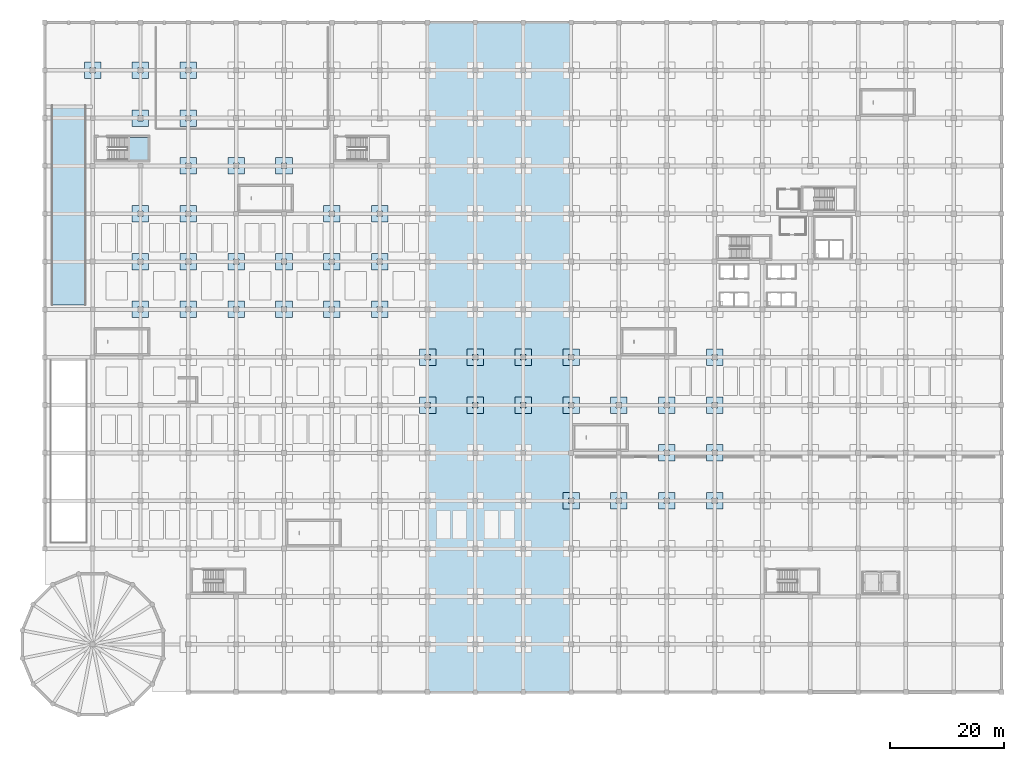
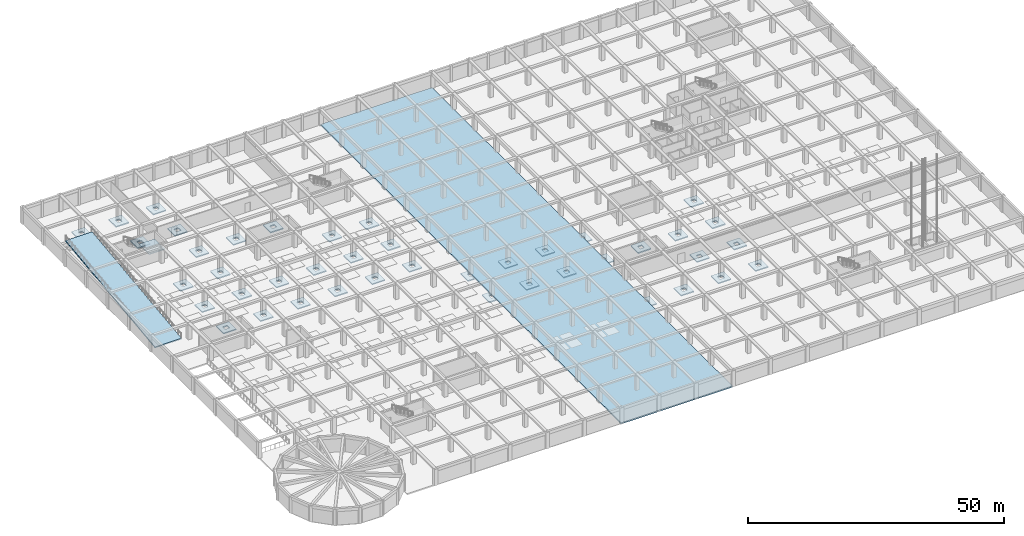
# One storey, part 11 of 32: 45 slabs, 1 element without a shape of its own.
"""IFC4 building model written with IfcOpenShell, lengths in metres."""

from ifc_helpers import new_model, si_unit, direction, frame, origin, place, context, subcontext, project, spatial, polyline, outline, extrude, material, layer, layer_set, type_object, element, aggregate, save


model = new_model("IFC4")

# Units and contexts
model_context = context("Model", 3, precision=1e-05, world=origin(), true_north=direction((0.0, 1.0)))
body_context = subcontext(model_context, "Body", "Model", "MODEL_VIEW")
ifc_project = project(units=[si_unit("LENGTHUNIT", "METRE"), si_unit("AREAUNIT", "SQUARE_METRE"), si_unit("VOLUMEUNIT", "CUBIC_METRE"), si_unit("PLANEANGLEUNIT", "RADIAN"), si_unit("MASSUNIT", "GRAM", prefix="KILO")], contexts=[model_context])

# Site, building, storey
site_placement = place(None, origin())
site = spatial("IfcSite", under=ifc_project, at=site_placement, CompositionType="ELEMENT")
building_placement = place(site_placement, origin())
building = spatial("IfcBuilding", under=site, at=building_placement, Name="Almacenes y Pasaje Nevantli", CompositionType="ELEMENT")
storey_placement = place(building_placement, frame((0.0, 0.0, -4.199951171875)))
storey = spatial("IfcBuildingStorey", under=building, at=storey_placement, Name="B01", CompositionType="ELEMENT", Elevation=-4.199951171875)

# Slabs
ifc_material_1 = material(Name="Concrete C35/45", Category="concrete")
ifc_layer_1 = layer(ifc_material_1, 0.25)
ifc_layer_set_1 = layer_set([ifc_layer_1], Name="Concrete C35/45")
slab_type_1 = type_object("IfcSlabType", Name="SLB-DP-250", PredefinedType="USERDEFINED", material=ifc_layer_set_1)
slab_1_placement = place(storey_placement, frame((0.0, 0.0, -0.550048828125)))
element("IfcSlab", 1, at=slab_1_placement, inside=storey, type_object=slab_type_1, Name="B01 Punching-Shear Drop Panel DP-02 #2", ObjectType="DROP PANEL", PredefinedType="USERDEFINED", context=body_context, shape_type="SweptSolid", body=[
    extrude(outline(polyline([(6.949951171875, 107.75), (9.85009765625, 107.75), (9.85009765625, 110.64990234375), (6.949951171875, 110.64990234375), (6.949951171875, 107.75)]), holes=[polyline([(7.919921875, 108.719970703125), (8.8798828125, 108.719970703125), (8.8798828125, 109.679931640625), (7.919921875, 109.679931640625), (7.919921875, 108.719970703125)])]), origin(), (0.0, 0.0, 1.0), 0.25),
])
slab_2_placement = place(storey_placement, frame((0.0, 0.0, -0.550048828125)))
element("IfcSlab", 2, at=slab_2_placement, inside=storey, type_object=slab_type_1, Name="B01 Punching-Shear Drop Panel DP-02 #6", ObjectType="DROP PANEL", PredefinedType="USERDEFINED", context=body_context, shape_type="SweptSolid", body=[
    extrude(outline(polyline([(15.35009765625, 65.75), (18.25, 65.75), (18.25, 68.64990234375), (15.35009765625, 68.64990234375), (15.35009765625, 65.75)]), holes=[polyline([(16.320068359375, 66.719970703125), (17.280029296875, 66.719970703125), (17.280029296875, 67.679931640625), (16.320068359375, 67.679931640625), (16.320068359375, 66.719970703125)])]), origin(), (0.0, 0.0, 1.0), 0.25),
])
slab_3_placement = place(storey_placement, frame((0.0, 0.0, -0.550048828125)))
element("IfcSlab", 3, at=slab_3_placement, inside=storey, type_object=slab_type_1, Name="B01 Punching-Shear Drop Panel DP-02 #7", ObjectType="DROP PANEL", PredefinedType="USERDEFINED", context=body_context, shape_type="SweptSolid", body=[
    extrude(outline(polyline([(15.35009765625, 74.14990234375), (18.25, 74.14990234375), (18.25, 77.050048828125), (15.35009765625, 77.050048828125), (15.35009765625, 74.14990234375)]), holes=[polyline([(16.320068359375, 75.1201171875), (17.280029296875, 75.1201171875), (17.280029296875, 76.080078125), (16.320068359375, 76.080078125), (16.320068359375, 75.1201171875)])]), origin(), (0.0, 0.0, 1.0), 0.25),
])
slab_4_placement = place(storey_placement, frame((0.0, 0.0, -0.550048828125)))
element("IfcSlab", 4, at=slab_4_placement, inside=storey, type_object=slab_type_1, Name="B01 Punching-Shear Drop Panel DP-02 #8", ObjectType="DROP PANEL", PredefinedType="USERDEFINED", context=body_context, shape_type="SweptSolid", body=[
    extrude(outline(polyline([(15.35009765625, 82.550048828125), (18.25, 82.550048828125), (18.25, 85.449951171875), (15.35009765625, 85.449951171875), (15.35009765625, 82.550048828125)]), holes=[polyline([(16.320068359375, 83.52001953125), (17.280029296875, 83.52001953125), (17.280029296875, 84.47998046875), (16.320068359375, 84.47998046875), (16.320068359375, 83.52001953125)])]), origin(), (0.0, 0.0, 1.0), 0.25),
])
slab_5_placement = place(storey_placement, frame((0.0, 0.0, -0.550048828125)))
element("IfcSlab", 5, at=slab_5_placement, inside=storey, type_object=slab_type_1, Name="B01 Punching-Shear Drop Panel DP-02 #9", ObjectType="DROP PANEL", PredefinedType="USERDEFINED", context=body_context, shape_type="SweptSolid", body=[
    extrude(outline(polyline([(15.35009765625, 99.35009765625), (18.25, 99.35009765625), (18.25, 102.25), (15.35009765625, 102.25), (15.35009765625, 99.35009765625)]), holes=[polyline([(16.320068359375, 100.320068359375), (17.280029296875, 100.320068359375), (17.280029296875, 101.280029296875), (16.320068359375, 101.280029296875), (16.320068359375, 100.320068359375)])]), origin(), (0.0, 0.0, 1.0), 0.25),
])
slab_6_placement = place(storey_placement, frame((0.0, 0.0, -0.550048828125)))
element("IfcSlab", 6, at=slab_6_placement, inside=storey, type_object=slab_type_1, Name="B01 Punching-Shear Drop Panel DP-02 #10", ObjectType="DROP PANEL", PredefinedType="USERDEFINED", context=body_context, shape_type="SweptSolid", body=[
    extrude(outline(polyline([(15.35009765625, 107.75), (18.25, 107.75), (18.25, 110.64990234375), (15.35009765625, 110.64990234375), (15.35009765625, 107.75)]), holes=[polyline([(16.320068359375, 108.719970703125), (17.280029296875, 108.719970703125), (17.280029296875, 109.679931640625), (16.320068359375, 109.679931640625), (16.320068359375, 108.719970703125)])]), origin(), (0.0, 0.0, 1.0), 0.25),
])
slab_7_placement = place(storey_placement, frame((0.0, 0.0, -0.550048828125)))
element("IfcSlab", 7, at=slab_7_placement, inside=storey, type_object=slab_type_1, Name="B01 Punching-Shear Drop Panel DP-02 #16", ObjectType="DROP PANEL", PredefinedType="USERDEFINED", context=body_context, shape_type="SweptSolid", body=[
    extrude(outline(polyline([(23.75, 65.75), (26.64990234375, 65.75), (26.64990234375, 68.64990234375), (23.75, 68.64990234375), (23.75, 65.75)]), holes=[polyline([(24.719970703125, 66.719970703125), (25.679931640625, 66.719970703125), (25.679931640625, 67.679931640625), (24.719970703125, 67.679931640625), (24.719970703125, 66.719970703125)])]), origin(), (0.0, 0.0, 1.0), 0.25),
])
slab_8_placement = place(storey_placement, frame((0.0, 0.0, -0.550048828125)))
element("IfcSlab", 8, at=slab_8_placement, inside=storey, type_object=slab_type_1, Name="B01 Punching-Shear Drop Panel DP-02 #17", ObjectType="DROP PANEL", PredefinedType="USERDEFINED", context=body_context, shape_type="SweptSolid", body=[
    extrude(outline(polyline([(23.75, 74.14990234375), (26.64990234375, 74.14990234375), (26.64990234375, 77.050048828125), (23.75, 77.050048828125), (23.75, 74.14990234375)]), holes=[polyline([(24.719970703125, 75.1201171875), (25.679931640625, 75.1201171875), (25.679931640625, 76.080078125), (24.719970703125, 76.080078125), (24.719970703125, 75.1201171875)])]), origin(), (0.0, 0.0, 1.0), 0.25),
])
slab_9_placement = place(storey_placement, frame((0.0, 0.0, -0.550048828125)))
element("IfcSlab", 9, at=slab_9_placement, inside=storey, type_object=slab_type_1, Name="B01 Punching-Shear Drop Panel DP-02 #18", ObjectType="DROP PANEL", PredefinedType="USERDEFINED", context=body_context, shape_type="SweptSolid", body=[
    extrude(outline(polyline([(23.75, 82.550048828125), (26.64990234375, 82.550048828125), (26.64990234375, 85.449951171875), (23.75, 85.449951171875), (23.75, 82.550048828125)]), holes=[polyline([(24.719970703125, 83.52001953125), (25.679931640625, 83.52001953125), (25.679931640625, 84.47998046875), (24.719970703125, 84.47998046875), (24.719970703125, 83.52001953125)])]), origin(), (0.0, 0.0, 1.0), 0.25),
])
slab_10_placement = place(storey_placement, frame((0.0, 0.0, -0.550048828125)))
element("IfcSlab", 10, at=slab_10_placement, inside=storey, type_object=slab_type_1, Name="B01 Punching-Shear Drop Panel DP-02 #19", ObjectType="DROP PANEL", PredefinedType="USERDEFINED", context=body_context, shape_type="SweptSolid", body=[
    extrude(outline(polyline([(23.75, 90.949951171875), (26.64990234375, 90.949951171875), (26.64990234375, 93.85009765625), (23.75, 93.85009765625), (23.75, 90.949951171875)]), holes=[polyline([(24.719970703125, 91.919921875), (25.679931640625, 91.919921875), (25.679931640625, 92.8798828125), (24.719970703125, 92.8798828125), (24.719970703125, 91.919921875)])]), origin(), (0.0, 0.0, 1.0), 0.25),
])
slab_11_placement = place(storey_placement, frame((0.0, 0.0, -0.550048828125)))
element("IfcSlab", 11, at=slab_11_placement, inside=storey, type_object=slab_type_1, Name="B01 Punching-Shear Drop Panel DP-02 #20", ObjectType="DROP PANEL", PredefinedType="USERDEFINED", context=body_context, shape_type="SweptSolid", body=[
    extrude(outline(polyline([(23.75, 99.35009765625), (26.64990234375, 99.35009765625), (26.64990234375, 102.25), (23.75, 102.25), (23.75, 99.35009765625)]), holes=[polyline([(24.719970703125, 100.320068359375), (25.679931640625, 100.320068359375), (25.679931640625, 101.280029296875), (24.719970703125, 101.280029296875), (24.719970703125, 100.320068359375)])]), origin(), (0.0, 0.0, 1.0), 0.25),
])
slab_12_placement = place(storey_placement, frame((0.0, 0.0, -0.550048828125)))
element("IfcSlab", 12, at=slab_12_placement, inside=storey, type_object=slab_type_1, Name="B01 Punching-Shear Drop Panel DP-02 #21", ObjectType="DROP PANEL", PredefinedType="USERDEFINED", context=body_context, shape_type="SweptSolid", body=[
    extrude(outline(polyline([(23.75, 107.75), (26.64990234375, 107.75), (26.64990234375, 110.64990234375), (23.75, 110.64990234375), (23.75, 107.75)]), holes=[polyline([(24.719970703125, 108.719970703125), (25.679931640625, 108.719970703125), (25.679931640625, 109.679931640625), (24.719970703125, 109.679931640625), (24.719970703125, 108.719970703125)])]), origin(), (0.0, 0.0, 1.0), 0.25),
])
slab_13_placement = place(storey_placement, frame((0.0, 0.0, -0.550048828125)))
element("IfcSlab", 13, at=slab_13_placement, inside=storey, type_object=slab_type_1, Name="B01 Punching-Shear Drop Panel DP-02 #28", ObjectType="DROP PANEL", PredefinedType="USERDEFINED", context=body_context, shape_type="SweptSolid", body=[
    extrude(outline(polyline([(32.14990234375, 65.75), (35.050048828125, 65.75), (35.050048828125, 68.64990234375), (32.14990234375, 68.64990234375), (32.14990234375, 65.75)]), holes=[polyline([(33.1201171875, 66.719970703125), (34.080078125, 66.719970703125), (34.080078125, 67.679931640625), (33.1201171875, 67.679931640625), (33.1201171875, 66.719970703125)])]), origin(), (0.0, 0.0, 1.0), 0.25),
])
slab_14_placement = place(storey_placement, frame((0.0, 0.0, -0.550048828125)))
element("IfcSlab", 14, at=slab_14_placement, inside=storey, type_object=slab_type_1, Name="B01 Punching-Shear Drop Panel DP-02 #29", ObjectType="DROP PANEL", PredefinedType="USERDEFINED", context=body_context, shape_type="SweptSolid", body=[
    extrude(outline(polyline([(32.14990234375, 74.14990234375), (35.050048828125, 74.14990234375), (35.050048828125, 77.050048828125), (32.14990234375, 77.050048828125), (32.14990234375, 74.14990234375)]), holes=[polyline([(33.1201171875, 75.1201171875), (34.080078125, 75.1201171875), (34.080078125, 76.080078125), (33.1201171875, 76.080078125), (33.1201171875, 75.1201171875)])]), origin(), (0.0, 0.0, 1.0), 0.25),
])
slab_15_placement = place(storey_placement, frame((0.0, 0.0, -0.550048828125)))
element("IfcSlab", 15, at=slab_15_placement, inside=storey, type_object=slab_type_1, Name="B01 Punching-Shear Drop Panel DP-02 #30", ObjectType="DROP PANEL", PredefinedType="USERDEFINED", context=body_context, shape_type="SweptSolid", body=[
    extrude(outline(polyline([(32.14990234375, 90.949951171875), (35.050048828125, 90.949951171875), (35.050048828125, 93.85009765625), (32.14990234375, 93.85009765625), (32.14990234375, 90.949951171875)]), holes=[polyline([(33.1201171875, 91.919921875), (34.080078125, 91.919921875), (34.080078125, 92.8798828125), (33.1201171875, 92.8798828125), (33.1201171875, 91.919921875)])]), origin(), (0.0, 0.0, 1.0), 0.25),
])
slab_16_placement = place(storey_placement, frame((0.0, 0.0, -0.550048828125)))
element("IfcSlab", 16, at=slab_16_placement, inside=storey, type_object=slab_type_1, Name="B01 Punching-Shear Drop Panel DP-02 #39", ObjectType="DROP PANEL", PredefinedType="USERDEFINED", context=body_context, shape_type="SweptSolid", body=[
    extrude(outline(polyline([(40.550048828125, 65.75), (43.449951171875, 65.75), (43.449951171875, 68.64990234375), (40.550048828125, 68.64990234375), (40.550048828125, 65.75)]), holes=[polyline([(41.52001953125, 66.719970703125), (42.47998046875, 66.719970703125), (42.47998046875, 67.679931640625), (41.52001953125, 67.679931640625), (41.52001953125, 66.719970703125)])]), origin(), (0.0, 0.0, 1.0), 0.25),
])
slab_17_placement = place(storey_placement, frame((0.0, 0.0, -0.550048828125)))
element("IfcSlab", 17, at=slab_17_placement, inside=storey, type_object=slab_type_1, Name="B01 Punching-Shear Drop Panel DP-02 #40", ObjectType="DROP PANEL", PredefinedType="USERDEFINED", context=body_context, shape_type="SweptSolid", body=[
    extrude(outline(polyline([(40.550048828125, 74.14990234375), (43.449951171875, 74.14990234375), (43.449951171875, 77.050048828125), (40.550048828125, 77.050048828125), (40.550048828125, 74.14990234375)]), holes=[polyline([(41.52001953125, 75.1201171875), (42.47998046875, 75.1201171875), (42.47998046875, 76.080078125), (41.52001953125, 76.080078125), (41.52001953125, 75.1201171875)])]), origin(), (0.0, 0.0, 1.0), 0.25),
])
slab_18_placement = place(storey_placement, frame((0.0, 0.0, -0.550048828125)))
element("IfcSlab", 18, at=slab_18_placement, inside=storey, type_object=slab_type_1, Name="B01 Punching-Shear Drop Panel DP-02 #41", ObjectType="DROP PANEL", PredefinedType="USERDEFINED", context=body_context, shape_type="SweptSolid", body=[
    extrude(outline(polyline([(40.550048828125, 90.949951171875), (43.449951171875, 90.949951171875), (43.449951171875, 93.85009765625), (40.550048828125, 93.85009765625), (40.550048828125, 90.949951171875)]), holes=[polyline([(41.52001953125, 91.919921875), (42.47998046875, 91.919921875), (42.47998046875, 92.8798828125), (41.52001953125, 92.8798828125), (41.52001953125, 91.919921875)])]), origin(), (0.0, 0.0, 1.0), 0.25),
])
slab_19_placement = place(storey_placement, frame((0.0, 0.0, -0.550048828125)))
element("IfcSlab", 19, at=slab_19_placement, inside=storey, type_object=slab_type_1, Name="B01 Punching-Shear Drop Panel DP-02 #50", ObjectType="DROP PANEL", PredefinedType="USERDEFINED", context=body_context, shape_type="SweptSolid", body=[
    extrude(outline(polyline([(48.949951171875, 65.75), (51.85009765625, 65.75), (51.85009765625, 68.64990234375), (48.949951171875, 68.64990234375), (48.949951171875, 65.75)]), holes=[polyline([(49.919921875, 66.719970703125), (50.8798828125, 66.719970703125), (50.8798828125, 67.679931640625), (49.919921875, 67.679931640625), (49.919921875, 66.719970703125)])]), origin(), (0.0, 0.0, 1.0), 0.25),
])
slab_20_placement = place(storey_placement, frame((0.0, 0.0, -0.550048828125)))
element("IfcSlab", 20, at=slab_20_placement, inside=storey, type_object=slab_type_1, Name="B01 Punching-Shear Drop Panel DP-02 #51", ObjectType="DROP PANEL", PredefinedType="USERDEFINED", context=body_context, shape_type="SweptSolid", body=[
    extrude(outline(polyline([(48.949951171875, 74.14990234375), (51.85009765625, 74.14990234375), (51.85009765625, 77.050048828125), (48.949951171875, 77.050048828125), (48.949951171875, 74.14990234375)]), holes=[polyline([(49.919921875, 75.1201171875), (50.8798828125, 75.1201171875), (50.8798828125, 76.080078125), (49.919921875, 76.080078125), (49.919921875, 75.1201171875)])]), origin(), (0.0, 0.0, 1.0), 0.25),
])
slab_21_placement = place(storey_placement, frame((0.0, 0.0, -0.550048828125)))
element("IfcSlab", 21, at=slab_21_placement, inside=storey, type_object=slab_type_1, Name="B01 Punching-Shear Drop Panel DP-02 #52", ObjectType="DROP PANEL", PredefinedType="USERDEFINED", context=body_context, shape_type="SweptSolid", body=[
    extrude(outline(polyline([(48.949951171875, 82.550048828125), (51.85009765625, 82.550048828125), (51.85009765625, 85.449951171875), (48.949951171875, 85.449951171875), (48.949951171875, 82.550048828125)]), holes=[polyline([(49.919921875, 83.52001953125), (50.8798828125, 83.52001953125), (50.8798828125, 84.47998046875), (49.919921875, 84.47998046875), (49.919921875, 83.52001953125)])]), origin(), (0.0, 0.0, 1.0), 0.25),
])
slab_22_placement = place(storey_placement, frame((0.0, 0.0, -0.550048828125)))
element("IfcSlab", 22, at=slab_22_placement, inside=storey, type_object=slab_type_1, Name="B01 Punching-Shear Drop Panel DP-02 #62", ObjectType="DROP PANEL", PredefinedType="USERDEFINED", context=body_context, shape_type="SweptSolid", body=[
    extrude(outline(polyline([(57.35009765625, 65.75), (60.25, 65.75), (60.25, 68.64990234375), (57.35009765625, 68.64990234375), (57.35009765625, 65.75)]), holes=[polyline([(58.320068359375, 66.719970703125), (59.280029296875, 66.719970703125), (59.280029296875, 67.679931640625), (58.320068359375, 67.679931640625), (58.320068359375, 66.719970703125)])]), origin(), (0.0, 0.0, 1.0), 0.25),
])
slab_23_placement = place(storey_placement, frame((0.0, 0.0, -0.550048828125)))
element("IfcSlab", 23, at=slab_23_placement, inside=storey, type_object=slab_type_1, Name="B01 Punching-Shear Drop Panel DP-02 #63", ObjectType="DROP PANEL", PredefinedType="USERDEFINED", context=body_context, shape_type="SweptSolid", body=[
    extrude(outline(polyline([(57.35009765625, 74.14990234375), (60.25, 74.14990234375), (60.25, 77.050048828125), (57.35009765625, 77.050048828125), (57.35009765625, 74.14990234375)]), holes=[polyline([(58.320068359375, 75.1201171875), (59.280029296875, 75.1201171875), (59.280029296875, 76.080078125), (58.320068359375, 76.080078125), (58.320068359375, 75.1201171875)])]), origin(), (0.0, 0.0, 1.0), 0.25),
])
slab_24_placement = place(storey_placement, frame((0.0, 0.0, -0.550048828125)))
element("IfcSlab", 24, at=slab_24_placement, inside=storey, type_object=slab_type_1, Name="B01 Punching-Shear Drop Panel DP-02 #64", ObjectType="DROP PANEL", PredefinedType="USERDEFINED", context=body_context, shape_type="SweptSolid", body=[
    extrude(outline(polyline([(57.35009765625, 82.550048828125), (60.25, 82.550048828125), (60.25, 85.449951171875), (57.35009765625, 85.449951171875), (57.35009765625, 82.550048828125)]), holes=[polyline([(58.320068359375, 83.52001953125), (59.280029296875, 83.52001953125), (59.280029296875, 84.47998046875), (58.320068359375, 84.47998046875), (58.320068359375, 83.52001953125)])]), origin(), (0.0, 0.0, 1.0), 0.25),
])
slab_25_placement = place(storey_placement, frame((0.0, 0.0, -0.550048828125)))
element("IfcSlab", 25, at=slab_25_placement, inside=storey, type_object=slab_type_1, Name="B01 Punching-Shear Drop Panel DP-02 #72", ObjectType="DROP PANEL", PredefinedType="USERDEFINED", context=body_context, shape_type="SweptSolid", body=[
    extrude(outline(polyline([(65.75, 48.949951171875), (68.64990234375, 48.949951171875), (68.64990234375, 51.85009765625), (65.75, 51.85009765625), (65.75, 48.949951171875)]), holes=[polyline([(66.719970703125, 49.919921875), (67.679931640625, 49.919921875), (67.679931640625, 50.8798828125), (66.719970703125, 50.8798828125), (66.719970703125, 49.919921875)])]), origin(), (0.0, 0.0, 1.0), 0.25),
])
slab_26_placement = place(storey_placement, frame((0.0, 0.0, -0.550048828125)))
element("IfcSlab", 26, at=slab_26_placement, inside=storey, type_object=slab_type_1, Name="B01 Punching-Shear Drop Panel DP-02 #73", ObjectType="DROP PANEL", PredefinedType="USERDEFINED", context=body_context, shape_type="SweptSolid", body=[
    extrude(outline(polyline([(65.75, 57.35009765625), (68.64990234375, 57.35009765625), (68.64990234375, 60.25), (65.75, 60.25), (65.75, 57.35009765625)]), holes=[polyline([(66.719970703125, 58.320068359375), (67.679931640625, 58.320068359375), (67.679931640625, 59.280029296875), (66.719970703125, 59.280029296875), (66.719970703125, 58.320068359375)])]), origin(), (0.0, 0.0, 1.0), 0.25),
])
slab_27_placement = place(storey_placement, frame((0.0, 0.0, -0.550048828125)))
element("IfcSlab", 27, at=slab_27_placement, inside=storey, type_object=slab_type_1, Name="B01 Punching-Shear Drop Panel DP-02 #85", ObjectType="DROP PANEL", PredefinedType="USERDEFINED", context=body_context, shape_type="SweptSolid", body=[
    extrude(outline(polyline([(74.14990234375, 48.949951171875), (77.050048828125, 48.949951171875), (77.050048828125, 51.85009765625), (74.14990234375, 51.85009765625), (74.14990234375, 48.949951171875)]), holes=[polyline([(75.1201171875, 49.919921875), (76.080078125, 49.919921875), (76.080078125, 50.8798828125), (75.1201171875, 50.8798828125), (75.1201171875, 49.919921875)])]), origin(), (0.0, 0.0, 1.0), 0.25),
])
slab_28_placement = place(storey_placement, frame((0.0, 0.0, -0.550048828125)))
element("IfcSlab", 28, at=slab_28_placement, inside=storey, type_object=slab_type_1, Name="B01 Punching-Shear Drop Panel DP-02 #86", ObjectType="DROP PANEL", PredefinedType="USERDEFINED", context=body_context, shape_type="SweptSolid", body=[
    extrude(outline(polyline([(74.14990234375, 57.35009765625), (77.050048828125, 57.35009765625), (77.050048828125, 60.25), (74.14990234375, 60.25), (74.14990234375, 57.35009765625)]), holes=[polyline([(75.1201171875, 58.320068359375), (76.080078125, 58.320068359375), (76.080078125, 59.280029296875), (75.1201171875, 59.280029296875), (75.1201171875, 58.320068359375)])]), origin(), (0.0, 0.0, 1.0), 0.25),
])
slab_29_placement = place(storey_placement, frame((0.0, 0.0, -0.550048828125)))
element("IfcSlab", 29, at=slab_29_placement, inside=storey, type_object=slab_type_1, Name="B01 Punching-Shear Drop Panel DP-02 #98", ObjectType="DROP PANEL", PredefinedType="USERDEFINED", context=body_context, shape_type="SweptSolid", body=[
    extrude(outline(polyline([(82.550048828125, 48.949951171875), (85.449951171875, 48.949951171875), (85.449951171875, 51.85009765625), (82.550048828125, 51.85009765625), (82.550048828125, 48.949951171875)]), holes=[polyline([(83.52001953125, 49.919921875), (84.47998046875, 49.919921875), (84.47998046875, 50.8798828125), (83.52001953125, 50.8798828125), (83.52001953125, 49.919921875)])]), origin(), (0.0, 0.0, 1.0), 0.25),
])
slab_30_placement = place(storey_placement, frame((0.0, 0.0, -0.550048828125)))
element("IfcSlab", 30, at=slab_30_placement, inside=storey, type_object=slab_type_1, Name="B01 Punching-Shear Drop Panel DP-02 #99", ObjectType="DROP PANEL", PredefinedType="USERDEFINED", context=body_context, shape_type="SweptSolid", body=[
    extrude(outline(polyline([(82.550048828125, 57.35009765625), (85.449951171875, 57.35009765625), (85.449951171875, 60.25), (82.550048828125, 60.25), (82.550048828125, 57.35009765625)]), holes=[polyline([(83.52001953125, 58.320068359375), (84.47998046875, 58.320068359375), (84.47998046875, 59.280029296875), (83.52001953125, 59.280029296875), (83.52001953125, 58.320068359375)])]), origin(), (0.0, 0.0, 1.0), 0.25),
])
slab_31_placement = place(storey_placement, frame((0.0, 0.0, -0.550048828125)))
element("IfcSlab", 31, at=slab_31_placement, inside=storey, type_object=slab_type_1, Name="B01 Punching-Shear Drop Panel DP-02 #109", ObjectType="DROP PANEL", PredefinedType="USERDEFINED", context=body_context, shape_type="SweptSolid", body=[
    extrude(outline(polyline([(90.949951171875, 32.14990234375), (93.85009765625, 32.14990234375), (93.85009765625, 35.050048828125), (90.949951171875, 35.050048828125), (90.949951171875, 32.14990234375)]), holes=[polyline([(91.919921875, 33.1201171875), (92.8798828125, 33.1201171875), (92.8798828125, 34.080078125), (91.919921875, 34.080078125), (91.919921875, 33.1201171875)])]), origin(), (0.0, 0.0, 1.0), 0.25),
])
slab_32_placement = place(storey_placement, frame((0.0, 0.0, -0.550048828125)))
element("IfcSlab", 32, at=slab_32_placement, inside=storey, type_object=slab_type_1, Name="B01 Punching-Shear Drop Panel DP-02 #110", ObjectType="DROP PANEL", PredefinedType="USERDEFINED", context=body_context, shape_type="SweptSolid", body=[
    extrude(outline(polyline([(90.949951171875, 48.949951171875), (93.85009765625, 48.949951171875), (93.85009765625, 51.85009765625), (90.949951171875, 51.85009765625), (90.949951171875, 48.949951171875)]), holes=[polyline([(91.919921875, 49.919921875), (92.8798828125, 49.919921875), (92.8798828125, 50.8798828125), (91.919921875, 50.8798828125), (91.919921875, 49.919921875)])]), origin(), (0.0, 0.0, 1.0), 0.25),
])
slab_33_placement = place(storey_placement, frame((0.0, 0.0, -0.550048828125)))
element("IfcSlab", 33, at=slab_33_placement, inside=storey, type_object=slab_type_1, Name="B01 Punching-Shear Drop Panel DP-02 #111", ObjectType="DROP PANEL", PredefinedType="USERDEFINED", context=body_context, shape_type="SweptSolid", body=[
    extrude(outline(polyline([(90.949951171875, 57.35009765625), (93.85009765625, 57.35009765625), (93.85009765625, 60.25), (90.949951171875, 60.25), (90.949951171875, 57.35009765625)]), holes=[polyline([(91.919921875, 58.320068359375), (92.8798828125, 58.320068359375), (92.8798828125, 59.280029296875), (91.919921875, 59.280029296875), (91.919921875, 58.320068359375)])]), origin(), (0.0, 0.0, 1.0), 0.25),
])
slab_34_placement = place(storey_placement, frame((0.0, 0.0, -0.550048828125)))
element("IfcSlab", 34, at=slab_34_placement, inside=storey, type_object=slab_type_1, Name="B01 Punching-Shear Drop Panel DP-02 #121", ObjectType="DROP PANEL", PredefinedType="USERDEFINED", context=body_context, shape_type="SweptSolid", body=[
    extrude(outline(polyline([(99.35009765625, 32.14990234375), (102.25, 32.14990234375), (102.25, 35.050048828125), (99.35009765625, 35.050048828125), (99.35009765625, 32.14990234375)]), holes=[polyline([(100.320068359375, 33.1201171875), (101.280029296875, 33.1201171875), (101.280029296875, 34.080078125), (100.320068359375, 34.080078125), (100.320068359375, 33.1201171875)])]), origin(), (0.0, 0.0, 1.0), 0.25),
])
slab_35_placement = place(storey_placement, frame((0.0, 0.0, -0.550048828125)))
element("IfcSlab", 35, at=slab_35_placement, inside=storey, type_object=slab_type_1, Name="B01 Punching-Shear Drop Panel DP-02 #122", ObjectType="DROP PANEL", PredefinedType="USERDEFINED", context=body_context, shape_type="SweptSolid", body=[
    extrude(outline(polyline([(99.35009765625, 48.949951171875), (102.25, 48.949951171875), (102.25, 51.85009765625), (99.35009765625, 51.85009765625), (99.35009765625, 48.949951171875)]), holes=[polyline([(100.320068359375, 49.919921875), (101.280029296875, 49.919921875), (101.280029296875, 50.8798828125), (100.320068359375, 50.8798828125), (100.320068359375, 49.919921875)])]), origin(), (0.0, 0.0, 1.0), 0.25),
])
slab_36_placement = place(storey_placement, frame((0.0, 0.0, -0.550048828125)))
element("IfcSlab", 36, at=slab_36_placement, inside=storey, type_object=slab_type_1, Name="B01 Punching-Shear Drop Panel DP-02 #132", ObjectType="DROP PANEL", PredefinedType="USERDEFINED", context=body_context, shape_type="SweptSolid", body=[
    extrude(outline(polyline([(107.75, 32.14990234375), (110.64990234375, 32.14990234375), (110.64990234375, 35.050048828125), (107.75, 35.050048828125), (107.75, 32.14990234375)]), holes=[polyline([(108.719970703125, 33.1201171875), (109.679931640625, 33.1201171875), (109.679931640625, 34.080078125), (108.719970703125, 34.080078125), (108.719970703125, 33.1201171875)])]), origin(), (0.0, 0.0, 1.0), 0.25),
])
slab_37_placement = place(storey_placement, frame((0.0, 0.0, -0.550048828125)))
element("IfcSlab", 37, at=slab_37_placement, inside=storey, type_object=slab_type_1, Name="B01 Punching-Shear Drop Panel DP-02 #133", ObjectType="DROP PANEL", PredefinedType="USERDEFINED", context=body_context, shape_type="SweptSolid", body=[
    extrude(outline(polyline([(107.75, 40.550048828125), (110.64990234375, 40.550048828125), (110.64990234375, 43.449951171875), (107.75, 43.449951171875), (107.75, 40.550048828125)]), holes=[polyline([(108.719970703125, 41.52001953125), (109.679931640625, 41.52001953125), (109.679931640625, 42.47998046875), (108.719970703125, 42.47998046875), (108.719970703125, 41.52001953125)])]), origin(), (0.0, 0.0, 1.0), 0.25),
])
slab_38_placement = place(storey_placement, frame((0.0, 0.0, -0.550048828125)))
element("IfcSlab", 38, at=slab_38_placement, inside=storey, type_object=slab_type_1, Name="B01 Punching-Shear Drop Panel DP-02 #134", ObjectType="DROP PANEL", PredefinedType="USERDEFINED", context=body_context, shape_type="SweptSolid", body=[
    extrude(outline(polyline([(107.75, 48.949951171875), (110.64990234375, 48.949951171875), (110.64990234375, 51.85009765625), (107.75, 51.85009765625), (107.75, 48.949951171875)]), holes=[polyline([(108.719970703125, 49.919921875), (109.679931640625, 49.919921875), (109.679931640625, 50.8798828125), (108.719970703125, 50.8798828125), (108.719970703125, 49.919921875)])]), origin(), (0.0, 0.0, 1.0), 0.25),
])
slab_39_placement = place(storey_placement, frame((0.0, 0.0, -0.550048828125)))
element("IfcSlab", 39, at=slab_39_placement, inside=storey, type_object=slab_type_1, Name="B01 Punching-Shear Drop Panel DP-02 #144", ObjectType="DROP PANEL", PredefinedType="USERDEFINED", context=body_context, shape_type="SweptSolid", body=[
    extrude(outline(polyline([(116.14990234375, 32.14990234375), (119.050048828125, 32.14990234375), (119.050048828125, 35.050048828125), (116.14990234375, 35.050048828125), (116.14990234375, 32.14990234375)]), holes=[polyline([(117.1201171875, 33.1201171875), (118.080078125, 33.1201171875), (118.080078125, 34.080078125), (117.1201171875, 34.080078125), (117.1201171875, 33.1201171875)])]), origin(), (0.0, 0.0, 1.0), 0.25),
])
slab_40_placement = place(storey_placement, frame((0.0, 0.0, -0.550048828125)))
element("IfcSlab", 40, at=slab_40_placement, inside=storey, type_object=slab_type_1, Name="B01 Punching-Shear Drop Panel DP-02 #145", ObjectType="DROP PANEL", PredefinedType="USERDEFINED", context=body_context, shape_type="SweptSolid", body=[
    extrude(outline(polyline([(116.14990234375, 40.550048828125), (119.050048828125, 40.550048828125), (119.050048828125, 43.449951171875), (116.14990234375, 43.449951171875), (116.14990234375, 40.550048828125)]), holes=[polyline([(117.1201171875, 41.52001953125), (118.080078125, 41.52001953125), (118.080078125, 42.47998046875), (117.1201171875, 42.47998046875), (117.1201171875, 41.52001953125)])]), origin(), (0.0, 0.0, 1.0), 0.25),
])
slab_41_placement = place(storey_placement, frame((0.0, 0.0, -0.550048828125)))
element("IfcSlab", 41, at=slab_41_placement, inside=storey, type_object=slab_type_1, Name="B01 Punching-Shear Drop Panel DP-02 #146", ObjectType="DROP PANEL", PredefinedType="USERDEFINED", context=body_context, shape_type="SweptSolid", body=[
    extrude(outline(polyline([(116.14990234375, 48.949951171875), (119.050048828125, 48.949951171875), (119.050048828125, 51.85009765625), (116.14990234375, 51.85009765625), (116.14990234375, 48.949951171875)]), holes=[polyline([(117.1201171875, 49.919921875), (118.080078125, 49.919921875), (118.080078125, 50.8798828125), (117.1201171875, 50.8798828125), (117.1201171875, 49.919921875)])]), origin(), (0.0, 0.0, 1.0), 0.25),
])
slab_42_placement = place(storey_placement, frame((0.0, 0.0, -0.550048828125)))
element("IfcSlab", 42, at=slab_42_placement, inside=storey, type_object=slab_type_1, Name="B01 Punching-Shear Drop Panel DP-02 #147", ObjectType="DROP PANEL", PredefinedType="USERDEFINED", context=body_context, shape_type="SweptSolid", body=[
    extrude(outline(polyline([(116.14990234375, 57.35009765625), (119.050048828125, 57.35009765625), (119.050048828125, 60.25), (116.14990234375, 60.25), (116.14990234375, 57.35009765625)]), holes=[polyline([(117.1201171875, 58.320068359375), (118.080078125, 58.320068359375), (118.080078125, 59.280029296875), (117.1201171875, 59.280029296875), (117.1201171875, 58.320068359375)])]), origin(), (0.0, 0.0, 1.0), 0.25),
])
ifc_material_2 = material(Name="Concrete C35/45", Category="concrete")
ifc_layer_2 = layer(ifc_material_2, 0.300048828125)
ifc_layer_set_2 = layer_set([ifc_layer_2], Name="Concrete C35/45")
slab_type_2 = type_object("IfcSlabType", Name="SLB-FLR-300", PredefinedType="FLOOR", material=ifc_layer_set_2)
slab_43_placement = place(storey_placement, frame((0.0, 0.0, -0.300048828125)))
element("IfcSlab", 43, at=slab_43_placement, inside=storey, type_object=slab_type_2, Name="B01 Central Arcade Concourse Slab", PredefinedType="FLOOR", context=body_context, shape_type="SweptSolid", body=[
    extrude(outline(polyline([(67.199951171875, 0.0), (92.39990234375, 0.0), (92.39990234375, 117.60009765625), (67.199951171875, 117.60009765625), (67.199951171875, 0.0)])), origin(), (0.0, 0.0, 1.0), 0.300048828125),
])

# Stair, slab
ifc_material_3 = material(Name="Concrete C35/45", Category="concrete")
stair_type = type_object("IfcStairType", Name="STR-CORE-1750", PredefinedType="HALF_TURN_STAIR", material=ifc_material_3)
stair_placement = place(storey_placement, origin())
stair = element("IfcStair", 44, at=stair_placement, inside=storey, type_object=stair_type, Name="B01 Staircase ST-03", PredefinedType="HALF_TURN_STAIR")
ifc_material_4 = material(Name="Concrete C35/45", Category="concrete")
ifc_layer_3 = layer(ifc_material_4, 0.199951171875)
ifc_layer_set_3 = layer_set([ifc_layer_3], Name="Concrete C35/45")
slab_type_3 = type_object("IfcSlabType", Name="SLB-LAND-200", PredefinedType="LANDING", material=ifc_layer_set_3)
slab_44_placement = place(storey_placement, frame((0.0, 0.0, 1.89990234375)))
slab_44 = element("IfcSlab", 45, at=slab_44_placement, type_object=slab_type_3, Name="ST-03-B01 landing 1", PredefinedType="LANDING", context=body_context, shape_type="SweptSolid", body=[
    extrude(outline(polyline([(14.56494140625, 93.449951171875), (18.10009765625, 93.449951171875), (18.10009765625, 97.39990234375), (14.56494140625, 97.39990234375), (14.56494140625, 93.449951171875)])), origin(), (0.0, 0.0, 1.0), 0.199951171875),
])
aggregate(stair, [slab_44])

# Slab
ifc_material_5 = material(Name="Concrete C35/45", Category="concrete")
ifc_layer_4 = layer(ifc_material_5, 0.300048828125)
ifc_layer_set_4 = layer_set([ifc_layer_4], Name="Concrete C35/45")
slab_type_4 = type_object("IfcSlabType", Name="SLB-RAMP-300", PredefinedType="FLOOR", material=ifc_layer_set_4)
slab_45_placement = place(storey_placement, frame((1.199951171875, 68.0, 0.0), z_axis=(0.0, -0.119143855129, 0.992877002345), x_axis=(1.0, 0.0, 0.0)))
element("IfcSlab", 46, at=slab_45_placement, inside=storey, type_object=slab_type_4, Name="B01 Vehicular Parking Ramp Structural Slab RP-02", PredefinedType="FLOOR", context=body_context, shape_type="SweptSolid", body=[
    extrude(outline(polyline([(0.0, 0.0), (6.0, 0.0), (6.0, 35.25109345603529), (0.0, 35.25109345603529), (0.0, 0.0)])), origin(), (0.0, 0.0, -1.0), 0.300048828125),
])

save(model, "model.ifc")
